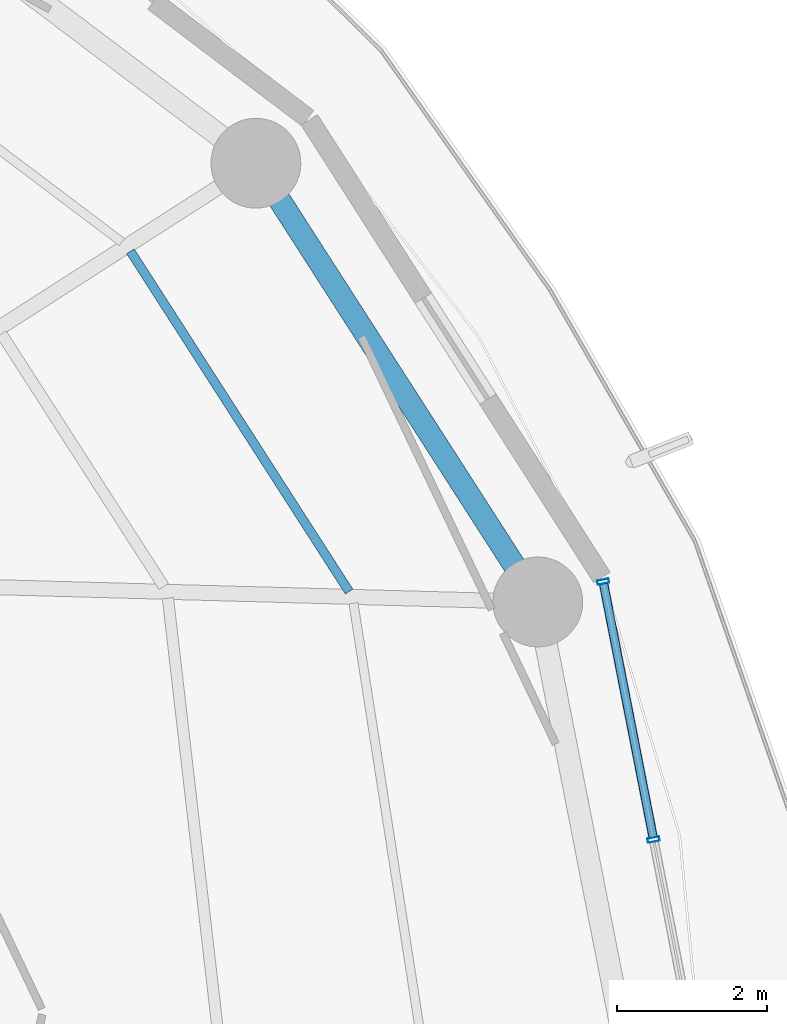
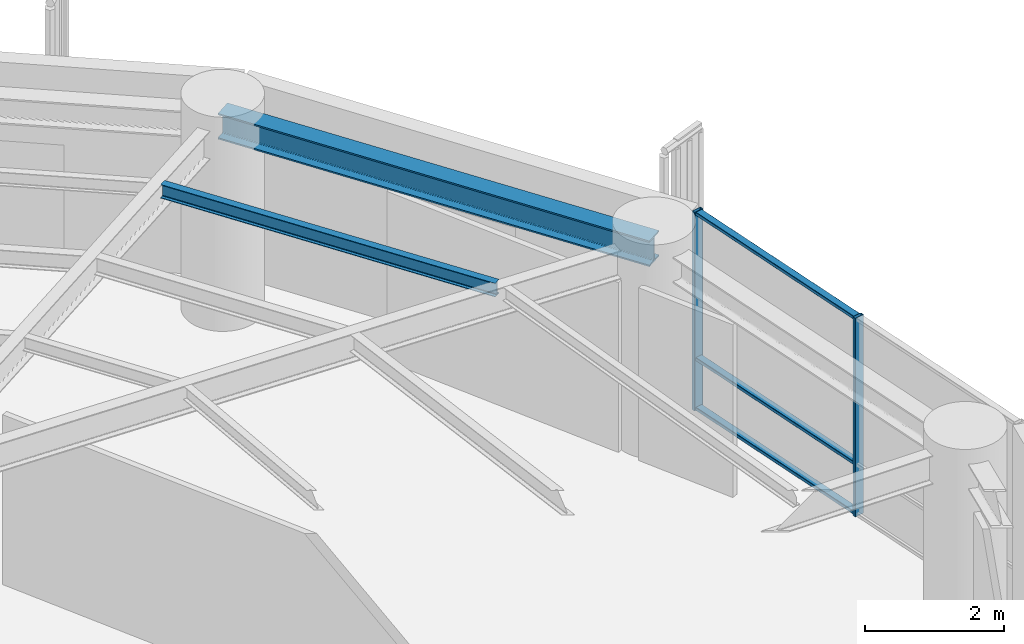
# One storey, part 15 of 29: 5 members, 2 beams, 1 element without a shape of its own.
"""IFC4 building model written with IfcOpenShell, lengths in metres."""

from ifc_helpers import new_model, si_unit, direction, frame, origin, origin_2d, place, context, subcontext, project, spatial, hollow_rectangle, i_section, extrude, material, layer, layer_set, material_profile, profile_set, type_object, element, aggregate, save


model = new_model("IFC4")

# Units and contexts
model_context = context("Model", 3, precision=1e-05, world=origin(), true_north=direction((0.0, 1.0)))
body_context = subcontext(model_context, "Body", "Model", "MODEL_VIEW")
ifc_project = project(units=[si_unit("LENGTHUNIT", "METRE"), si_unit("AREAUNIT", "SQUARE_METRE"), si_unit("VOLUMEUNIT", "CUBIC_METRE"), si_unit("PLANEANGLEUNIT", "RADIAN"), si_unit("MASSUNIT", "GRAM", prefix="KILO")], contexts=[model_context])

# Site, building, storey
site_placement = place(None, origin())
site = spatial("IfcSite", under=ifc_project, at=site_placement, CompositionType="ELEMENT")
building_placement = place(site_placement, origin())
building = spatial("IfcBuilding", under=site, at=building_placement, Name="Kelanora Arch Commons", CompositionType="ELEMENT")
storey_placement = place(building_placement, frame((0.0, 0.0, 135.60009765625)))
storey = spatial("IfcBuildingStorey", under=building, at=storey_placement, Name="L34", CompositionType="ELEMENT", Elevation=135.60009765625)

# Beams
ifc_material_1 = material(Name="Steel S355", Category="steel")
ifc_material_profile_1 = material_profile(ifc_material_1, i_section(OverallWidth=0.1201171875, OverallDepth=0.239990234375, WebThickness=0.006103515625, FlangeThickness=0.009765625, FilletRadius=0.014892578125, at=origin_2d()), Name="IPE240")
ifc_profile_set_1 = profile_set([ifc_material_profile_1], Name="Steel S355")
beam_type_1 = type_object("IfcBeamType", Name="BM-JST-02", PredefinedType="JOIST", material=ifc_profile_set_1)
beam_1_placement = place(storey_placement, frame((91.85205078125, 64.801513671875, 3.369873046875), z_axis=(-0.540581678156, 0.841291536414, 0.0), x_axis=(-0.841291536414, -0.540581678156, 0.0)))
element("IfcBeam", 1, at=beam_1_placement, inside=storey, type_object=beam_type_1, Name="Secondary Chord Joist BJC-02 L34", PredefinedType="JOIST", context=body_context, shape_type="SweptSolid", body=[
    extrude(i_section(OverallWidth=0.1201171875, OverallDepth=0.239990234375, WebThickness=0.006103515625, FlangeThickness=0.009765625, FilletRadius=0.014892578125, at=origin_2d()), origin(), (0.0, 0.0, 1.0), 5.4013671875),
])
ifc_material_profile_2 = material_profile(ifc_material_1, i_section(OverallWidth=0.300048828125, OverallDepth=0.449951171875, WebThickness=0.013916015625, FlangeThickness=0.02587890625, FilletRadius=0.027099609375, at=origin_2d()), Name="HEB450")
ifc_profile_set_2 = profile_set([ifc_material_profile_2], Name="Steel S355")
beam_type_2 = type_object("IfcBeamType", Name="BM-SPN-Z3", PredefinedType="SPANDREL", material=ifc_profile_set_2)
beam_2_placement = place(storey_placement, frame((94.37255859375, 64.66259765625, 3.264892578125), z_axis=(-0.540576852469, 0.841294637196, 0.0), x_axis=(-0.841294637196, -0.540576852469, 0.0)))
element("IfcBeam", 2, at=beam_2_placement, inside=storey, type_object=beam_type_2, Name="Perimeter Spandrel Beam BS-02 L34", PredefinedType="SPANDREL", context=body_context, shape_type="SweptSolid", body=[
    extrude(i_section(OverallWidth=0.300048828125, OverallDepth=0.449951171875, WebThickness=0.013916015625, FlangeThickness=0.02587890625, FilletRadius=0.027099609375, at=origin_2d()), origin(), (0.0, 0.0, 1.0), 6.964111328125),
])

# Curtain wall, members
ifc_material_2 = material(Name="Terracotta ceramic-fritted low-E glass and aluminium", Category="masonry")
ifc_layer = layer(ifc_material_2, 0.175048828125)
ifc_layer_set = layer_set([ifc_layer], Name="Terracotta ceramic-fritted low-E glass and aluminium")
curtain_wall_type = type_object("IfcCurtainWallType", Name="CW-SYS-02", PredefinedType="NOTDEFINED", material=ifc_layer_set)
curtain_wall_placement = place(storey_placement, origin())
curtain_wall = element("IfcCurtainWall", 3, at=curtain_wall_placement, inside=storey, type_object=curtain_wall_type, Name="Unitised Curtain Wall L34-B00", PredefinedType="NOTDEFINED")
ifc_material_3 = material(Name="Powder-coated aluminium terracotta", Category="masonry")
ifc_material_profile_3 = material_profile(ifc_material_3, hollow_rectangle(XDim=0.159912109375, YDim=0.06005859375, WallThickness=0.0048828125, InnerFilletRadius=0.0048828125, OuterFilletRadius=0.010009765625, at=origin_2d()), Name="CWM160x60")
ifc_profile_set_3 = profile_set([ifc_material_profile_3], Name="Powder-coated aluminium terracotta")
member_type_1 = type_object("IfcMemberType", Name="CWM-STD", PredefinedType="MULLION", material=ifc_profile_set_3)
member_1_placement = place(storey_placement, frame((95.91845703125, 61.488525390625, 0.0), z_axis=(0.0, 0.0, 1.0), x_axis=(-0.981452557718, -0.191705182375, 0.0)))
member_1 = element("IfcMember", 4, at=member_1_placement, type_object=member_type_1, Name="CW-02 mullion 2", PredefinedType="MULLION", context=body_context, shape_type="SweptSolid", body=[
    extrude(hollow_rectangle(XDim=0.159912109375, YDim=0.06005859375, WallThickness=0.0048828125, InnerFilletRadius=0.0048828125, OuterFilletRadius=0.010009765625, at=origin_2d()), origin(), (0.0, 0.0, 1.0), 3.474853515625),
])
member_2_placement = place(storey_placement, frame((95.245849609375, 64.93310546875, 0.0), z_axis=(0.0, 0.0, 1.0), x_axis=(-0.981452557718, -0.191705182375, 0.0)))
member_2 = element("IfcMember", 5, at=member_2_placement, type_object=member_type_1, Name="CW-02 mullion 3", PredefinedType="MULLION", context=body_context, shape_type="SweptSolid", body=[
    extrude(hollow_rectangle(XDim=0.159912109375, YDim=0.06005859375, WallThickness=0.0048828125, InnerFilletRadius=0.0048828125, OuterFilletRadius=0.010009765625, at=origin_2d()), origin(), (0.0, 0.0, 1.0), 3.474853515625),
])
ifc_material_profile_4 = material_profile(ifc_material_3, hollow_rectangle(XDim=0.1201171875, YDim=0.06005859375, WallThickness=0.0048828125, InnerFilletRadius=0.0048828125, OuterFilletRadius=0.010009765625, at=origin_2d()), Name="CWT120x60")
ifc_profile_set_4 = profile_set([ifc_material_profile_4], Name="Powder-coated aluminium terracotta")
member_type_2 = type_object("IfcMemberType", Name="CWT-STD", PredefinedType="USERDEFINED", material=ifc_profile_set_4)
member_3_placement = place(storey_placement, frame((95.912841796875, 61.51806640625, 0.02978515625), z_axis=(-0.191731523726, 0.981447412147, 0.0), x_axis=(-0.981447412147, -0.191731523726, 0.0)))
member_3 = element("IfcMember", 6, at=member_3_placement, type_object=member_type_2, Name="CW-02 transom 2.1", ObjectType="TRANSOM", PredefinedType="USERDEFINED", context=body_context, shape_type="SweptSolid", body=[
    extrude(hollow_rectangle(XDim=0.1201171875, YDim=0.06005859375, WallThickness=0.0048828125, InnerFilletRadius=0.0048828125, OuterFilletRadius=0.010009765625, at=origin_2d()), origin(), (0.0, 0.0, 1.0), 3.449462890625),
])
member_4_placement = place(storey_placement, frame((95.912841796875, 61.51806640625, 0.89990234375), z_axis=(-0.191731523726, 0.981447412147, 0.0), x_axis=(-0.981447412147, -0.191731523726, 0.0)))
member_4 = element("IfcMember", 7, at=member_4_placement, type_object=member_type_2, Name="CW-02 transom 2.2", ObjectType="TRANSOM", PredefinedType="USERDEFINED", context=body_context, shape_type="SweptSolid", body=[
    extrude(hollow_rectangle(XDim=0.1201171875, YDim=0.06005859375, WallThickness=0.0048828125, InnerFilletRadius=0.0048828125, OuterFilletRadius=0.010009765625, at=origin_2d()), origin(), (0.0, 0.0, 1.0), 3.449462890625),
])
member_5_placement = place(storey_placement, frame((95.912841796875, 61.51806640625, 3.44482421875), z_axis=(-0.191731523726, 0.981447412147, 0.0), x_axis=(-0.981447412147, -0.191731523726, 0.0)))
member_5 = element("IfcMember", 8, at=member_5_placement, type_object=member_type_2, Name="CW-02 transom 2.3", ObjectType="TRANSOM", PredefinedType="USERDEFINED", context=body_context, shape_type="SweptSolid", body=[
    extrude(hollow_rectangle(XDim=0.1201171875, YDim=0.06005859375, WallThickness=0.0048828125, InnerFilletRadius=0.0048828125, OuterFilletRadius=0.010009765625, at=origin_2d()), origin(), (0.0, 0.0, 1.0), 3.449462890625),
])
aggregate(curtain_wall, [member_1, member_2, member_3, member_4, member_5])

save(model, "model.ifc")
